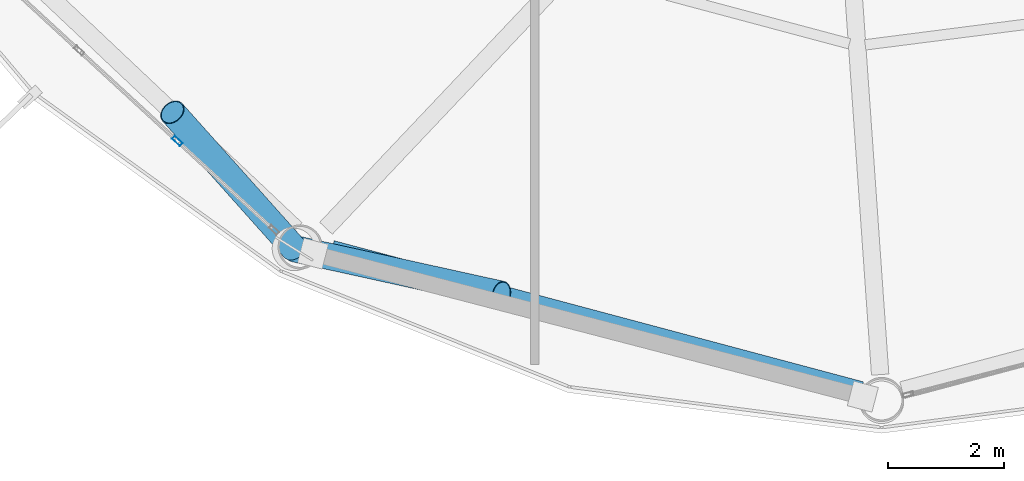
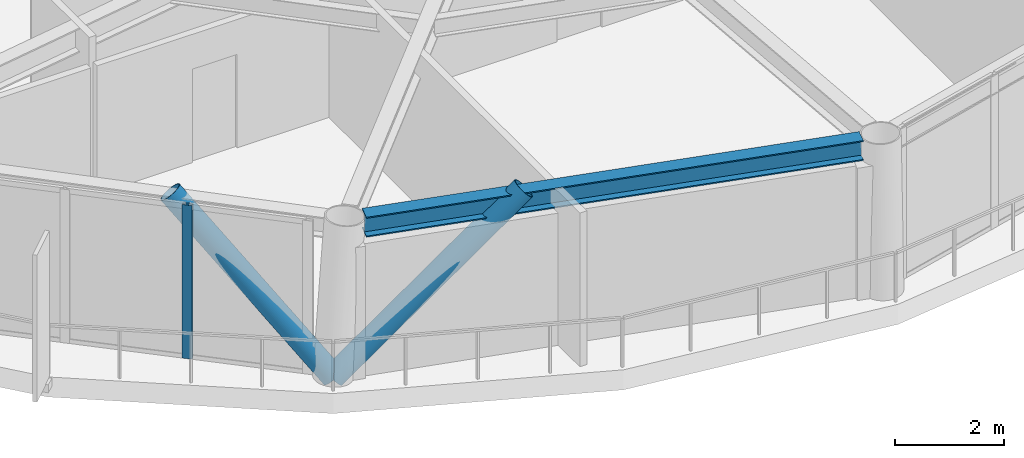
# One storey, part 3 of 26: 3 members, 1 beam, 1 element without a shape of its own.
"""IFC4 building model written with IfcOpenShell, lengths in metres."""

from ifc_helpers import new_model, si_unit, direction, frame, origin, origin_2d, place, context, subcontext, project, spatial, hollow_rectangle, hollow_circle, i_section, extrude, material, layer, layer_set, material_profile, profile_set, type_object, element, aggregate, save


model = new_model("IFC4")

# Units and contexts
model_context = context("Model", 3, precision=1e-05, world=origin(), true_north=direction((0.0, 1.0)))
body_context = subcontext(model_context, "Body", "Model", "MODEL_VIEW")
ifc_project = project(units=[si_unit("LENGTHUNIT", "METRE"), si_unit("AREAUNIT", "SQUARE_METRE"), si_unit("VOLUMEUNIT", "CUBIC_METRE"), si_unit("PLANEANGLEUNIT", "RADIAN"), si_unit("MASSUNIT", "GRAM", prefix="KILO")], contexts=[model_context])

# Site, building, storey
site_placement = place(None, origin())
site = spatial("IfcSite", under=ifc_project, at=site_placement, CompositionType="ELEMENT")
building_placement = place(site_placement, origin())
building = spatial("IfcBuilding", under=site, at=building_placement, Name="Varnakorn Sky Granary", CompositionType="ELEMENT")
storey_placement = place(building_placement, frame((0.0, 0.0, 169.5)))
storey = spatial("IfcBuildingStorey", under=building, at=storey_placement, Name="L42", CompositionType="ELEMENT", Elevation=169.5)

# Beam
ifc_material_1 = material(Name="Steel S355JR", Category="steel")
ifc_material_profile_1 = material_profile(ifc_material_1, i_section(OverallWidth=0.300048828125, OverallDepth=0.449951171875, WebThickness=0.013916015625, FlangeThickness=0.02587890625, at=origin_2d()), Name="HE 450 B")
ifc_profile_set_1 = profile_set([ifc_material_profile_1], Name="Steel S355JR")
beam_type = type_object("IfcBeamType", Name="BM-SPD-Z3", PredefinedType="SPANDREL", material=ifc_profile_set_1)
beam_placement = place(storey_placement, frame((-11.00390625, -16.21533203125, 3.22509765625), z_axis=(0.966226381463, -0.257694741438, 0.0), x_axis=(0.257694741438, 0.966226381463, 0.0)))
element("IfcBeam", 1, at=beam_placement, inside=storey, type_object=beam_type, Name="Perimeter Spandrel Ring Beam RB09 L42", PredefinedType="SPANDREL", context=body_context, shape_type="SweptSolid", body=[
    extrude(i_section(OverallWidth=0.300048828125, OverallDepth=0.449951171875, WebThickness=0.013916015625, FlangeThickness=0.02587890625, at=origin_2d()), origin(), (0.0, 0.0, 1.0), 9.47021484375),
])

# Curtain wall, member
ifc_material_2 = material(Name="Anodised Bronze Aluminium Alloy 6063-T6", Category="aluminium")
ifc_layer = layer(ifc_material_2, 0.179931640625, Name="Anodised Bronze Aluminium Alloy 6063-T6")
ifc_layer_set = layer_set([ifc_layer], Name="Anodised Bronze Aluminium Alloy 6063-T6")
curtain_wall_type = type_object("IfcCurtainWallType", Name="CW-FRM-2", PredefinedType="USERDEFINED", material=ifc_layer_set)
curtain_wall_placement = place(storey_placement, origin())
curtain_wall = element("IfcCurtainWall", 2, at=curtain_wall_placement, inside=storey, type_object=curtain_wall_type, Name="Unitised Curtain Wall CW4 CW-L42-B08", ObjectType="CURTAIN WALL", PredefinedType="USERDEFINED")
ifc_material_profile_2 = material_profile(ifc_material_2, hollow_rectangle(XDim=0.070068359375, YDim=0.18505859375, WallThickness=0.00390625, at=origin_2d()), Name="ALU MULL 70x185")
ifc_profile_set_2 = profile_set([ifc_material_profile_2], Name="Anodised Bronze Aluminium Alloy 6063-T6")
member_type_1 = type_object("IfcMemberType", Name="CW-FRM-2-MULL", PredefinedType="MULLION", material=ifc_profile_set_2)
member_1_placement = place(storey_placement, frame((-13.6787109375, -14.345703125, 0.0), z_axis=(0.0, 0.0, 1.0), x_axis=(-0.677547955322, -0.735478598084, 0.0)))
member_1 = element("IfcMember", 3, at=member_1_placement, type_object=member_type_1, Name="CW4 mullion 2", PredefinedType="MULLION", context=body_context, shape_type="SweptSolid", body=[
    extrude(hollow_rectangle(XDim=0.070068359375, YDim=0.18505859375, WallThickness=0.00390625, at=origin_2d()), origin(), (0.0, 0.0, 1.0), 3.449951171875),
])
aggregate(curtain_wall, [member_1])

# Members
ifc_material_3 = material(Name="Steel S460M", Category="steel")
ifc_material_profile_3 = material_profile(ifc_material_3, hollow_circle(Radius=0.228515625, WallThickness=0.01611328125, at=origin_2d()), Name="CHS 457x16")
ifc_profile_set_3 = profile_set([ifc_material_profile_3], Name="Steel S460M")
member_type_2 = type_object("IfcMemberType", Name="MB-DIAG-T3", PredefinedType="BRACE", material=ifc_profile_set_3)
member_2_placement = place(storey_placement, frame((-11.657470703125, -16.207763671875, 0.0), z_axis=(-0.449963510676, 0.503913217314, 0.737295265465), x_axis=(-0.745907513489, -0.666049533685, 0.0)))
element("IfcMember", 4, at=member_2_placement, inside=storey, type_object=member_type_2, Name="Perimeter CHS Diagrid Brace DG08 L42", PredefinedType="BRACE", context=body_context, shape_type="SweptSolid", body=[
    extrude(hollow_circle(Radius=0.228515625, WallThickness=0.01611328125, at=origin_2d()), origin(), (0.0, 0.0, 1.0), 4.67919921875),
])
member_3_placement = place(storey_placement, frame((-11.657470703125, -16.207763671875, 0.0), z_axis=(0.711711211687, -0.156715058119, 0.684768239419), x_axis=(0.215043173699, 0.976604543019, 0.0)))
element("IfcMember", 5, at=member_3_placement, inside=storey, type_object=member_type_2, Name="Perimeter CHS Diagrid Brace DG09 L42", PredefinedType="BRACE", context=body_context, shape_type="SweptSolid", body=[
    extrude(hollow_circle(Radius=0.228515625, WallThickness=0.01611328125, at=origin_2d()), origin(), (0.0, 0.0, 1.0), 5.0380859375),
])

save(model, "model.ifc")
